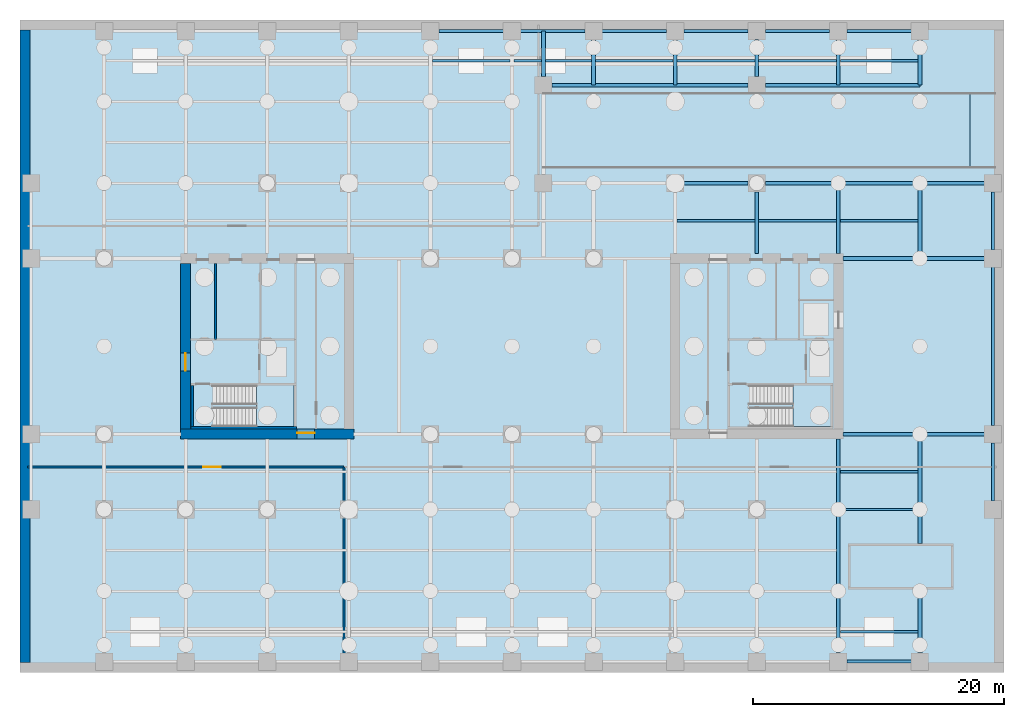
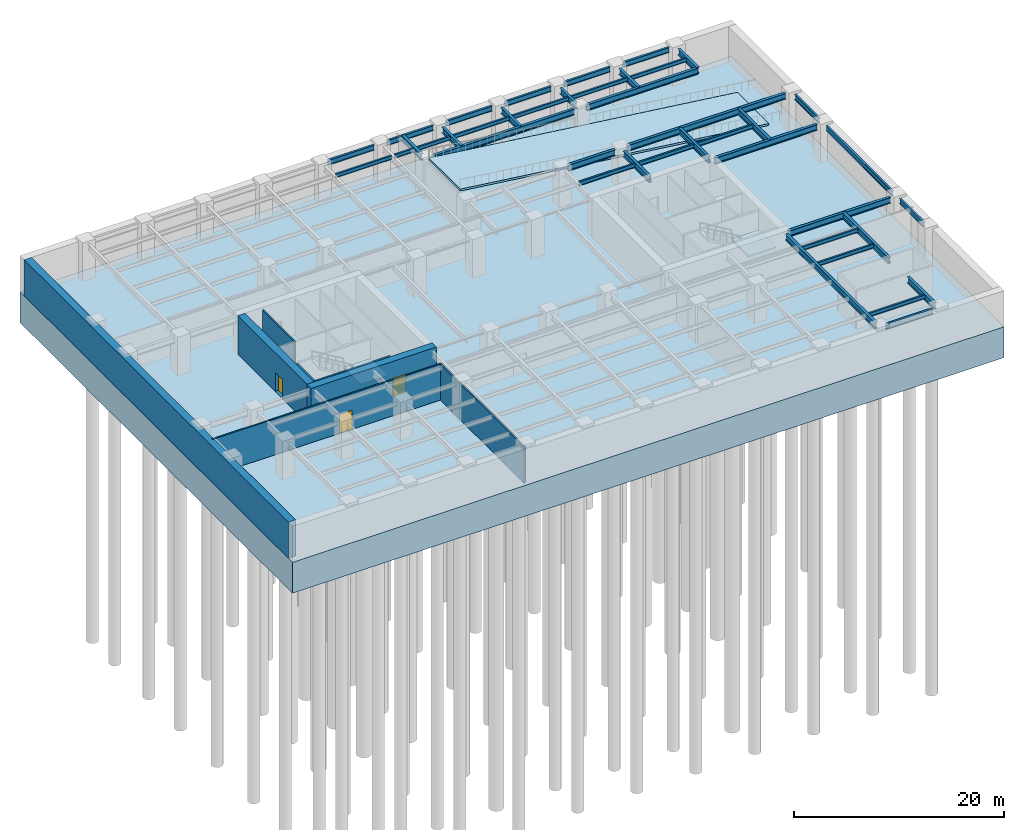
# One storey, part 3 of 11: 40 beams, 8 walls, 4 slabs, 3 doors, 3 openings, 2 elements without a shape of their own.
"""IFC4 building model written with IfcOpenShell, lengths in metres."""

from ifc_helpers import new_model, si_unit, direction, frame, frame_2d, origin, origin_2d, place, context, subcontext, project, spatial, polyline, rectangle, i_section, outline, extrude, material, layer, layer_set, material_profile, profile_set, type_object, element, fill, aggregate, save


model = new_model("IFC4")

# Units and contexts
model_context = context("Model", 3, precision=1e-05, world=origin(), true_north=direction((0.0, 1.0)))
body_context = subcontext(model_context, "Body", "Model", "MODEL_VIEW")
ifc_project = project(units=[si_unit("LENGTHUNIT", "METRE"), si_unit("AREAUNIT", "SQUARE_METRE"), si_unit("VOLUMEUNIT", "CUBIC_METRE"), si_unit("PLANEANGLEUNIT", "RADIAN"), si_unit("MASSUNIT", "GRAM", prefix="KILO")], contexts=[model_context])

# Site, building, storey
site_placement = place(None, origin())
site = spatial("IfcSite", under=ifc_project, at=site_placement, CompositionType="ELEMENT")
building_placement = place(site_placement, origin())
building = spatial("IfcBuilding", under=site, at=building_placement, Name="Putna Gate Headquarters", CompositionType="ELEMENT")
storey_placement = place(building_placement, frame((0.0, 0.0, -13.5)))
storey = spatial("IfcBuildingStorey", under=building, at=storey_placement, Name="B03", CompositionType="ELEMENT", Elevation=-13.5)

# Beams
ifc_material_1 = material(Name="Steel S355J2", Category="steel")
ifc_material_profile_1 = material_profile(ifc_material_1, i_section(OverallWidth=0.300048828125, OverallDepth=0.699951171875, WebThickness=0.01708984375, FlangeThickness=0.031982421875, at=origin_2d()), Name="Steel S355J2")
ifc_profile_set_1 = profile_set([ifc_material_profile_1], Name="Steel S355J2")
beam_type_1 = type_object("IfcBeamType", Name="BM-GIRD-B-HEB700", PredefinedType="USERDEFINED", material=ifc_profile_set_1)
for number, where, z_axis, x_axis, name in (
    (1, (65.385009765625, 19.0, 3.85009765625), (1.0, 0.0, 0.0), (0.0, 1.0, 0.0), "B03 East Wing Girder Y19"),
    (2, (65.385009765625, 33.0, 3.85009765625), (1.0, 0.0, 0.0), (0.0, 1.0, 0.0), "B03 East Wing Girder Y33"),
):
    element("IfcBeam", number, at=place(storey_placement, frame(where, z_axis=z_axis, x_axis=x_axis)), inside=storey, type_object=beam_type_1, Name=name, ObjectType="GIRDER", PredefinedType="USERDEFINED", context=body_context, shape_type="SweptSolid", body=[
        extrude(i_section(OverallWidth=0.300048828125, OverallDepth=0.699951171875, WebThickness=0.01708984375, FlangeThickness=0.031982421875, at=origin_2d()), origin(), (0.0, 0.0, 1.0), 11.2470703125),
    ])
beam_1_placement = place(storey_placement, frame((41.5, 47.488037109375, 3.85009765625), z_axis=(0.0, 1.0, 0.0), x_axis=(-1.0, 0.0, 0.0)))
element("IfcBeam", 3, at=beam_1_placement, inside=storey, type_object=beam_type_1, Name="B03 Ramp Well Trimmer Girder WN", ObjectType="GIRDER", PredefinedType="USERDEFINED", context=body_context, shape_type="SweptSolid", body=[
    extrude(i_section(OverallWidth=0.300048828125, OverallDepth=0.699951171875, WebThickness=0.01708984375, FlangeThickness=0.031982421875, at=origin_2d()), origin(), (0.0, 0.0, 1.0), 3.619873046875),
])
beam_2_placement = place(storey_placement, frame((52.68798828125, 39.0, 3.85009765625), z_axis=(1.0, 0.0, 0.0), x_axis=(0.0, 1.0, 0.0)))
element("IfcBeam", 4, at=beam_2_placement, inside=storey, type_object=beam_type_1, Name="B03 Ramp Well Trimmer Girder S2", ObjectType="GIRDER", PredefinedType="USERDEFINED", context=body_context, shape_type="SweptSolid", body=[
    extrude(i_section(OverallWidth=0.300048828125, OverallDepth=0.699951171875, WebThickness=0.01708984375, FlangeThickness=0.031982421875, at=origin_2d()), origin(), (0.0, 0.0, 1.0), 5.1240234375),
])
beam_3_placement = place(storey_placement, frame((59.18798828125, 39.0, 3.85009765625), z_axis=(1.0, 0.0, 0.0), x_axis=(0.0, 1.0, 0.0)))
element("IfcBeam", 5, at=beam_3_placement, inside=storey, type_object=beam_type_1, Name="B03 Ramp Well Trimmer Girder S3", ObjectType="GIRDER", PredefinedType="USERDEFINED", context=body_context, shape_type="SweptSolid", body=[
    extrude(i_section(OverallWidth=0.300048828125, OverallDepth=0.699951171875, WebThickness=0.01708984375, FlangeThickness=0.031982421875, at=origin_2d()), origin(), (0.0, 0.0, 1.0), 17.444091796875),
])
beam_4_placement = place(storey_placement, frame((42.18798828125, 46.800048828125, 3.85009765625), z_axis=(1.0, 0.0, 0.0), x_axis=(0.0, 1.0, 0.0)))
element("IfcBeam", 6, at=beam_4_placement, inside=storey, type_object=beam_type_1, Name="B03 Ramp Well Trimmer Girder N1", ObjectType="GIRDER", PredefinedType="USERDEFINED", context=body_context, shape_type="SweptSolid", body=[
    extrude(i_section(OverallWidth=0.300048828125, OverallDepth=0.699951171875, WebThickness=0.01708984375, FlangeThickness=0.031982421875, at=origin_2d()), origin(), (0.0, 0.0, 1.0), 15.6240234375),
])
beam_5_placement = place(storey_placement, frame((59.18798828125, 46.800048828125, 3.85009765625), z_axis=(1.0, 0.0, 0.0), x_axis=(0.0, 1.0, 0.0)))
element("IfcBeam", 7, at=beam_5_placement, inside=storey, type_object=beam_type_1, Name="B03 Ramp Well Trimmer Girder N2", ObjectType="GIRDER", PredefinedType="USERDEFINED", context=body_context, shape_type="SweptSolid", body=[
    extrude(i_section(OverallWidth=0.300048828125, OverallDepth=0.699951171875, WebThickness=0.01708984375, FlangeThickness=0.031982421875, at=origin_2d()), origin(), (0.0, 0.0, 1.0), 12.300048828125),
])
for number, where, z_axis, x_axis, name in (
    (8, (45.5, 46.81201171875, 3.85009765625), (0.0, 1.0, 0.0), (-1.0, 0.0, 0.0), "B03 North Ramp Edge Girder X45"),
    (9, (52.0, 46.81201171875, 3.85009765625), (0.0, 1.0, 0.0), (-1.0, 0.0, 0.0), "B03 North Ramp Edge Girder X52"),
):
    element("IfcBeam", number, at=place(storey_placement, frame(where, z_axis=z_axis, x_axis=x_axis)), inside=storey, type_object=beam_type_1, Name=name, ObjectType="GIRDER", PredefinedType="USERDEFINED", context=body_context, shape_type="SweptSolid", body=[
        extrude(i_section(OverallWidth=0.300048828125, OverallDepth=0.699951171875, WebThickness=0.01708984375, FlangeThickness=0.031982421875, at=origin_2d()), origin(), (0.0, 0.0, 1.0), 3.619873046875),
    ])
beam_6_placement = place(storey_placement, frame((58.5, 33.385009765625, 3.85009765625), z_axis=(0.0, 1.0, 0.0), x_axis=(-1.0, 0.0, 0.0)))
element("IfcBeam", 10, at=beam_6_placement, inside=storey, type_object=beam_type_1, Name="B03 North Girder X58-1", ObjectType="GIRDER", PredefinedType="USERDEFINED", context=body_context, shape_type="SweptSolid", body=[
    extrude(i_section(OverallWidth=0.300048828125, OverallDepth=0.699951171875, WebThickness=0.01708984375, FlangeThickness=0.031982421875, at=origin_2d()), origin(), (0.0, 0.0, 1.0), 4.927001953125),
])
beam_7_placement = place(storey_placement, frame((58.5, 47.488037109375, 3.85009765625), z_axis=(0.0, 1.0, 0.0), x_axis=(-1.0, 0.0, 0.0)))
element("IfcBeam", 11, at=beam_7_placement, inside=storey, type_object=beam_type_1, Name="B03 North Ramp Edge Girder X58", ObjectType="GIRDER", PredefinedType="USERDEFINED", context=body_context, shape_type="SweptSolid", body=[
    extrude(i_section(OverallWidth=0.300048828125, OverallDepth=0.699951171875, WebThickness=0.01708984375, FlangeThickness=0.031982421875, at=origin_2d()), origin(), (0.0, 0.0, 1.0), 2.94384765625),
])
beam_8_placement = place(storey_placement, frame((65.0, 1.568115234375, 3.85009765625), z_axis=(0.0, 1.0, 0.0), x_axis=(-1.0, 0.0, 0.0)))
element("IfcBeam", 12, at=beam_8_placement, inside=storey, type_object=beam_type_1, Name="B03 South Primary Girder X65", ObjectType="GIRDER", PredefinedType="USERDEFINED", context=body_context, shape_type="SweptSolid", body=[
    extrude(i_section(OverallWidth=0.300048828125, OverallDepth=0.699951171875, WebThickness=0.01708984375, FlangeThickness=0.031982421875, at=origin_2d()), origin(), (0.0, 0.0, 1.0), 17.046875),
])
beam_9_placement = place(storey_placement, frame((65.0, 33.385009765625, 3.85009765625), z_axis=(0.0, 1.0, 0.0), x_axis=(-1.0, 0.0, 0.0)))
element("IfcBeam", 13, at=beam_9_placement, inside=storey, type_object=beam_type_1, Name="B03 North Girder X65-1", ObjectType="GIRDER", PredefinedType="USERDEFINED", context=body_context, shape_type="SweptSolid", body=[
    extrude(i_section(OverallWidth=0.300048828125, OverallDepth=0.699951171875, WebThickness=0.01708984375, FlangeThickness=0.031982421875, at=origin_2d()), origin(), (0.0, 0.0, 1.0), 5.60302734375),
])
beam_10_placement = place(storey_placement, frame((65.0, 46.81201171875, 3.85009765625), z_axis=(0.0, 1.0, 0.0), x_axis=(-1.0, 0.0, 0.0)))
element("IfcBeam", 14, at=beam_10_placement, inside=storey, type_object=beam_type_1, Name="B03 North Ramp Edge Girder X65", ObjectType="GIRDER", PredefinedType="USERDEFINED", context=body_context, shape_type="SweptSolid", body=[
    extrude(i_section(OverallWidth=0.300048828125, OverallDepth=0.699951171875, WebThickness=0.01708984375, FlangeThickness=0.031982421875, at=origin_2d()), origin(), (0.0, 0.0, 1.0), 3.619873046875),
])
beam_11_placement = place(storey_placement, frame((71.5, 1.568115234375, 3.85009765625), z_axis=(0.0, 1.0, 0.0), x_axis=(-1.0, 0.0, 0.0)))
element("IfcBeam", 15, at=beam_11_placement, inside=storey, type_object=beam_type_1, Name="B03 South Girder X71-A", ObjectType="GIRDER", PredefinedType="USERDEFINED", context=body_context, shape_type="SweptSolid", body=[
    extrude(i_section(OverallWidth=0.300048828125, OverallDepth=0.699951171875, WebThickness=0.01708984375, FlangeThickness=0.031982421875, at=origin_2d()), origin(), (0.0, 0.0, 1.0), 5.056884765625),
])
beam_12_placement = place(storey_placement, frame((71.5, 10.27490234375, 3.85009765625), z_axis=(0.0, 1.0, 0.0), x_axis=(-1.0, 0.0, 0.0)))
element("IfcBeam", 16, at=beam_12_placement, inside=storey, type_object=beam_type_1, Name="B03 South Girder X71-B", ObjectType="GIRDER", PredefinedType="USERDEFINED", context=body_context, shape_type="SweptSolid", body=[
    extrude(i_section(OverallWidth=0.300048828125, OverallDepth=0.699951171875, WebThickness=0.01708984375, FlangeThickness=0.031982421875, at=origin_2d()), origin(), (0.0, 0.0, 1.0), 8.713134765625),
])
beam_13_placement = place(storey_placement, frame((71.5, 33.011962890625, 3.85009765625), z_axis=(0.0, 1.0, 0.0), x_axis=(-1.0, 0.0, 0.0)))
element("IfcBeam", 17, at=beam_13_placement, inside=storey, type_object=beam_type_1, Name="B03 North Girder X71-1", ObjectType="GIRDER", PredefinedType="USERDEFINED", context=body_context, shape_type="SweptSolid", body=[
    extrude(i_section(OverallWidth=0.300048828125, OverallDepth=0.699951171875, WebThickness=0.01708984375, FlangeThickness=0.031982421875, at=origin_2d()), origin(), (0.0, 0.0, 1.0), 5.97607421875),
])
beam_14_placement = place(storey_placement, frame((71.5, 46.81201171875, 3.85009765625), z_axis=(0.0, 1.0, 0.0), x_axis=(-1.0, 0.0, 0.0)))
element("IfcBeam", 18, at=beam_14_placement, inside=storey, type_object=beam_type_1, Name="B03 North Ramp Edge Girder X71", ObjectType="GIRDER", PredefinedType="USERDEFINED", context=body_context, shape_type="SweptSolid", body=[
    extrude(i_section(OverallWidth=0.300048828125, OverallDepth=0.699951171875, WebThickness=0.01708984375, FlangeThickness=0.031982421875, at=origin_2d()), origin(), (0.0, 0.0, 1.0), 3.619873046875),
])
ifc_material_profile_2 = material_profile(ifc_material_1, i_section(OverallWidth=0.18994140625, OverallDepth=0.449951171875, WebThickness=0.009521484375, FlangeThickness=0.0146484375, at=origin_2d()), Name="Steel S355J2")
ifc_profile_set_2 = profile_set([ifc_material_profile_2], Name="Steel S355J2")
beam_type_2 = type_object("IfcBeamType", Name="BM-SEC-B-IPE450", PredefinedType="BEAM", material=ifc_profile_set_2)
for number, where, z_axis, x_axis, name in (
    (19, (32.654052734375, 48.75, 3.97509765625), (1.0, 0.0, 0.0), (0.0, 1.0, 0.0), "B03 North Secondary Beam 5"),
    (20, (39.154052734375, 48.75, 3.97509765625), (1.0, 0.0, 0.0), (0.0, 1.0, 0.0), "B03 North Secondary Beam 6"),
    (21, (45.654052734375, 48.75, 3.97509765625), (1.0, 0.0, 0.0), (0.0, 1.0, 0.0), "B03 North Secondary Beam 7"),
    (22, (52.154052734375, 36.0, 3.97509765625), (1.0, 0.0, 0.0), (0.0, 1.0, 0.0), "B03 North Secondary Beam 8"),
    (23, (52.154052734375, 48.75, 3.97509765625), (1.0, 0.0, 0.0), (0.0, 1.0, 0.0), "B03 North Secondary Beam 8"),
    (24, (58.654052734375, 36.0, 3.97509765625), (1.0, 0.0, 0.0), (0.0, 1.0, 0.0), "B03 North Secondary Beam 9"),
    (25, (58.654052734375, 48.75, 3.97509765625), (1.0, 0.0, 0.0), (0.0, 1.0, 0.0), "B03 North Secondary Beam 9"),
    (26, (65.154052734375, 3.25, 3.97509765625), (1.0, 0.0, 0.0), (0.0, 1.0, 0.0), "B03 South Secondary Beam 10"),
    (27, (65.154052734375, 13.0, 3.97509765625), (1.0, 0.0, 0.0), (0.0, 1.0, 0.0), "B03 South Secondary Beam 10"),
    (28, (65.154052734375, 16.0, 3.97509765625), (1.0, 0.0, 0.0), (0.0, 1.0, 0.0), "B03 South Secondary Beam 10"),
    (29, (65.154052734375, 36.0, 3.97509765625), (1.0, 0.0, 0.0), (0.0, 1.0, 0.0), "B03 North Secondary Beam 10"),
    (30, (65.154052734375, 48.75, 3.97509765625), (1.0, 0.0, 0.0), (0.0, 1.0, 0.0), "B03 North Secondary Beam 10"),
):
    element("IfcBeam", number, at=place(storey_placement, frame(where, z_axis=z_axis, x_axis=x_axis)), inside=storey, type_object=beam_type_2, Name=name, PredefinedType="BEAM", context=body_context, shape_type="SweptSolid", body=[
        extrude(i_section(OverallWidth=0.18994140625, OverallDepth=0.449951171875, WebThickness=0.009521484375, FlangeThickness=0.0146484375, at=origin_2d()), origin(), (0.0, 0.0, 1.0), 6.19189453125),
    ])
ifc_material_profile_3 = material_profile(ifc_material_1, i_section(OverallWidth=0.219970703125, OverallDepth=0.60009765625, WebThickness=0.011962890625, FlangeThickness=0.01904296875, at=origin_2d()), Name="Steel S355J2")
ifc_profile_set_3 = profile_set([ifc_material_profile_3], Name="Steel S355J2")
beam_type_3 = type_object("IfcBeamType", Name="BM-SPAN-B-IPE600", PredefinedType="SPANDREL", material=ifc_profile_set_3)
for number, where, z_axis, x_axis, name in (
    (31, (65.68798828125, 0.8798828125, 3.89990234375), (1.0, 0.0, 0.0), (0.0, 1.0, 0.0), "B03 S Perimeter Spandrel 10"),
    (32, (33.18798828125, 51.1201171875, 3.89990234375), (1.0, 0.0, 0.0), (0.0, 1.0, 0.0), "B03 N Perimeter Spandrel 5"),
    (33, (39.68798828125, 51.1201171875, 3.89990234375), (1.0, 0.0, 0.0), (0.0, 1.0, 0.0), "B03 N Perimeter Spandrel 6"),
    (34, (46.18798828125, 51.1201171875, 3.89990234375), (1.0, 0.0, 0.0), (0.0, 1.0, 0.0), "B03 N Perimeter Spandrel 7"),
    (35, (52.68798828125, 51.1201171875, 3.89990234375), (1.0, 0.0, 0.0), (0.0, 1.0, 0.0), "B03 N Perimeter Spandrel 8"),
    (36, (59.18798828125, 51.1201171875, 3.89990234375), (1.0, 0.0, 0.0), (0.0, 1.0, 0.0), "B03 N Perimeter Spandrel 9"),
    (37, (65.68798828125, 51.1201171875, 3.89990234375), (1.0, 0.0, 0.0), (0.0, 1.0, 0.0), "B03 N Perimeter Spandrel 10"),
):
    element("IfcBeam", number, at=place(storey_placement, frame(where, z_axis=z_axis, x_axis=x_axis)), inside=storey, type_object=beam_type_3, Name=name, PredefinedType="SPANDREL", context=body_context, shape_type="SweptSolid", body=[
        extrude(i_section(OverallWidth=0.219970703125, OverallDepth=0.60009765625, WebThickness=0.011962890625, FlangeThickness=0.01904296875, at=origin_2d()), origin(), (0.0, 0.0, 1.0), 5.1240234375),
    ])
beam_15_placement = place(storey_placement, frame((77.320068359375, 13.68798828125, 3.89990234375), z_axis=(0.0, 1.0, 0.0), x_axis=(-1.0, 0.0, 0.0)))
element("IfcBeam", 38, at=beam_15_placement, inside=storey, type_object=beam_type_3, Name="B03 E End Spandrel 1", PredefinedType="SPANDREL", context=body_context, shape_type="SweptSolid", body=[
    extrude(i_section(OverallWidth=0.219970703125, OverallDepth=0.60009765625, WebThickness=0.011962890625, FlangeThickness=0.01904296875, at=origin_2d()), origin(), (0.0, 0.0, 1.0), 4.6240234375),
])
beam_16_placement = place(storey_placement, frame((77.320068359375, 19.68798828125, 3.89990234375), z_axis=(0.0, 1.0, 0.0), x_axis=(-1.0, 0.0, 0.0)))
element("IfcBeam", 39, at=beam_16_placement, inside=storey, type_object=beam_type_3, Name="B03 E End Spandrel 2", PredefinedType="SPANDREL", context=body_context, shape_type="SweptSolid", body=[
    extrude(i_section(OverallWidth=0.219970703125, OverallDepth=0.60009765625, WebThickness=0.011962890625, FlangeThickness=0.01904296875, at=origin_2d()), origin(), (0.0, 0.0, 1.0), 12.6240234375),
])
beam_17_placement = place(storey_placement, frame((77.320068359375, 33.68798828125, 3.89990234375), z_axis=(0.0, 1.0, 0.0), x_axis=(-1.0, 0.0, 0.0)))
element("IfcBeam", 40, at=beam_17_placement, inside=storey, type_object=beam_type_3, Name="B03 E End Spandrel 3", PredefinedType="SPANDREL", context=body_context, shape_type="SweptSolid", body=[
    extrude(i_section(OverallWidth=0.219970703125, OverallDepth=0.60009765625, WebThickness=0.011962890625, FlangeThickness=0.01904296875, at=origin_2d()), origin(), (0.0, 0.0, 1.0), 4.6240234375),
])

# Stair, slab
ifc_material_2 = material(Name="Concrete C40/50", Category="concrete")
stair_type_1 = type_object("IfcStairType", Name="STAIR-ST1", PredefinedType="HALF_TURN_STAIR", material=ifc_material_2)
stair_1_placement = place(storey_placement, origin())
stair_1 = element("IfcStair", 41, at=stair_1_placement, inside=storey, type_object=stair_type_1, Name="B03 West Core Exit Stair ST1", PredefinedType="HALF_TURN_STAIR")
ifc_layer_1 = layer(ifc_material_2, 0.199951171875)
ifc_layer_set_1 = layer_set([ifc_layer_1], Name="Concrete C40/50")
slab_type_1 = type_object("IfcSlabType", Name="LANDING-ST1", PredefinedType="LANDING", material=ifc_layer_set_1)
slab_1_placement = place(storey_placement, frame((0.0, 0.0, 2.050048828125)))
slab_1 = element("IfcSlab", 42, at=slab_1_placement, type_object=slab_type_1, Name="ST1 landing 1", PredefinedType="LANDING", context=body_context, shape_type="SweptSolid", body=[
    extrude(outline(polyline([(18.6298828125, 19.60009765625), (21.64990234375, 19.60009765625), (21.64990234375, 22.89990234375), (18.6298828125, 22.89990234375), (18.6298828125, 19.60009765625)])), origin(), (0.0, 0.0, 1.0), 0.199951171875),
])
aggregate(stair_1, [slab_1])

stair_type_2 = type_object("IfcStairType", Name="STAIR-ST2", PredefinedType="HALF_TURN_STAIR", material=ifc_material_2)
stair_2_placement = place(storey_placement, origin())
stair_2 = element("IfcStair", 43, at=stair_2_placement, inside=storey, type_object=stair_type_2, Name="B03 East Core Exit Stair ST2", PredefinedType="HALF_TURN_STAIR")
ifc_layer_2 = layer(ifc_material_2, 0.199951171875)
ifc_layer_set_2 = layer_set([ifc_layer_2], Name="Concrete C40/50")
slab_type_2 = type_object("IfcSlabType", Name="LANDING-ST2", PredefinedType="LANDING", material=ifc_layer_set_2)
slab_2_placement = place(storey_placement, frame((0.0, 0.0, 2.050048828125)))
slab_2 = element("IfcSlab", 44, at=slab_2_placement, type_object=slab_type_2, Name="ST2 landing 1", PredefinedType="LANDING", context=body_context, shape_type="SweptSolid", body=[
    extrude(outline(polyline([(61.3798828125, 19.60009765625), (64.39990234375, 19.60009765625), (64.39990234375, 22.89990234375), (61.3798828125, 22.89990234375), (61.3798828125, 19.60009765625)])), origin(), (0.0, 0.0, 1.0), 0.199951171875),
])
aggregate(stair_2, [slab_2])

# Slabs
ifc_layer_3 = layer(ifc_material_2, 3.60009765625)
ifc_layer_set_3 = layer_set([ifc_layer_3], Name="Concrete C40/50")
slab_type_3 = type_object("IfcSlabType", Name="SLAB-RAFT-3600", PredefinedType="BASESLAB", material=ifc_layer_set_3)
slab_3_placement = place(storey_placement, frame((0.0, 0.0, -3.60009765625)))
element("IfcSlab", 45, at=slab_3_placement, inside=storey, type_object=slab_type_3, Name="B03 Monolithic Piled Raft Slab", PredefinedType="BASESLAB", context=body_context, shape_type="SweptSolid", body=[
    extrude(outline(polyline([(-0.199951171875, 0.0), (78.199951171875, 0.0), (78.199951171875, 52.0), (-0.199951171875, 52.0), (-0.199951171875, 0.0)])), origin(), (0.0, 0.0, 1.0), 3.60009765625),
])
ifc_layer_4 = layer(ifc_material_2, 0.219970703125)
ifc_layer_set_4 = layer_set([ifc_layer_4], Name="Concrete C40/50")
slab_type_4 = type_object("IfcSlabType", Name="SLAB-VRAMP-220", PredefinedType="FLOOR", material=ifc_layer_set_4)
slab_4_placement = place(storey_placement, frame((41.5, 40.199951171875, 4.5), z_axis=(0.124322356055, 0.0, 0.992241881693), x_axis=(0.992241881693, 0.0, -0.124322356055)))
element("IfcSlab", 46, at=slab_4_placement, inside=storey, type_object=slab_type_4, Name="Car park structural vehicle ramp slab B03 to B02", PredefinedType="FLOOR", context=body_context, shape_type="SweptSolid", body=[
    extrude(outline(polyline([(0.0, 0.0), (34.26583842842928, 0.0), (34.26583842842928, 6.000000000000002), (0.0, 6.000000000000002), (0.0, 0.0)])), origin(), (0.0, 0.0, -1.0), 0.219970703125),
])

# Wall, opening, door
ifc_material_3 = material(Name="Concrete C60/75", Category="concrete")
ifc_layer_5 = layer(ifc_material_3, 0.800048828125)
ifc_layer_set_5 = layer_set([ifc_layer_5], Name="Concrete C60/75")
wall_type_1 = type_object("IfcWallType", Name="WALL-CORE-800", PredefinedType="SHEAR", material=ifc_layer_set_5)
wall_1_placement = place(storey_placement, frame((12.60009765625, 19.0, 0.0), z_axis=(0.0, 0.0, 1.0), x_axis=(1.0, 0.0, 0.0)))
wall_1 = element("IfcWall", 47, at=wall_1_placement, inside=storey, type_object=wall_type_1, Name="B03 WC Split Core Shear Wall S", PredefinedType="SHEAR", context=body_context, shape_type="SweptSolid", body=[
    extrude(rectangle(XDim=13.7998046875, YDim=0.800048828125, at=frame_2d((6.89990234375, 0.0))), origin(), (0.0, 0.0, 1.0), 4.5),
])
opening_1_placement = place(wall_1_placement, frame((9.280029296875, 0.0, 0.0)))
opening_1 = element("IfcOpeningElement", 48, at=opening_1_placement, cuts=wall_1, Name="Opening FDD-140", PredefinedType="OPENING", context=body_context, shape_type="SweptSolid", body=[
    extrude(rectangle(XDim=1.39990234375, YDim=2.199951171875, at=frame_2d((0.699951171875, 1.10009765625))), frame((0.0, 0.409912109375, 0.0), z_axis=(0.0, -1.0, 0.0), x_axis=(1.0, 0.0, 0.0)), (0.0, 0.0, 1.0), 0.820068359375),
])
ifc_material_4 = material(Name="Double steel fire door", Category="steel")
door_type = type_object("IfcDoorType", Name="DOOR-FIRE-DBL-1400", OperationType="DOUBLE_DOOR_SINGLE_SWING", PredefinedType="DOOR", material=ifc_material_4)
door_1_placement = place(opening_1_placement, origin())
door_1 = element("IfcDoor", 49, at=door_1_placement, inside=storey, type_object=door_type, Name="B03 West Lift Lobby South Door", OperationType="DOUBLE_DOOR_SINGLE_SWING", OverallHeight=2.199951171875, OverallWidth=1.39990234375, PredefinedType="DOOR", context=body_context, shape_type="SweptSolid", body=[
    extrude(rectangle(XDim=1.39990234375, YDim=2.199951171875, at=frame_2d((0.699951171875, 1.10009765625))), frame((0.0, 0.125, 0.0), z_axis=(0.0, -1.0, 0.0), x_axis=(1.0, 0.0, 0.0)), (0.0, 0.0, 1.0), 0.050048828125),
])
fill(opening_1, door_1)

wall_2_placement = place(storey_placement, frame((13.0, 19.39990234375, 0.0), z_axis=(0.0, 0.0, 1.0), x_axis=(0.0, 1.0, 0.0)))
wall_2 = element("IfcWall", 50, at=wall_2_placement, inside=storey, type_object=wall_type_1, Name="B03 WC Split Core Shear Wall W", PredefinedType="SHEAR", context=body_context, shape_type="SweptSolid", body=[
    extrude(rectangle(XDim=13.2001953125, YDim=0.800048828125, at=frame_2d((6.60009765625, 0.0))), origin(), (0.0, 0.0, 1.0), 4.5),
])
opening_2_placement = place(wall_2_placement, frame((4.64990234375, 0.0, 0.0)))
opening_2 = element("IfcOpeningElement", 51, at=opening_2_placement, cuts=wall_2, Name="Opening FDD-140", PredefinedType="OPENING", context=body_context, shape_type="SweptSolid", body=[
    extrude(rectangle(XDim=1.39990234375, YDim=2.199951171875, at=frame_2d((0.699951171875, 1.10009765625))), frame((0.0, 0.409912109375, 0.0), z_axis=(0.0, -1.0, 0.0), x_axis=(1.0, 0.0, 0.0)), (0.0, 0.0, 1.0), 0.820068359375),
])
door_2_placement = place(opening_2_placement, origin())
door_2 = element("IfcDoor", 52, at=door_2_placement, inside=storey, type_object=door_type, Name="B03 West Firefighting Lobby Door", OperationType="DOUBLE_DOOR_SINGLE_SWING", OverallHeight=2.199951171875, OverallWidth=1.39990234375, PredefinedType="DOOR", context=body_context, shape_type="SweptSolid", body=[
    extrude(rectangle(XDim=1.39990234375, YDim=2.199951171875, at=frame_2d((0.699951171875, 1.10009765625))), frame((0.0, 0.02490234375, 0.0), z_axis=(0.0, -1.0, 0.0), x_axis=(1.0, 0.0, 0.0)), (0.0, 0.0, 1.0), 0.050048828125),
])
fill(opening_2, door_2)

# Walls
ifc_layer_6 = layer(ifc_material_2, 0.800048828125)
ifc_layer_set_6 = layer_set([ifc_layer_6], Name="Concrete C40/50")
wall_type_2 = type_object("IfcWallType", Name="WALL-RET-800", PredefinedType="USERDEFINED", material=ifc_layer_set_6)
wall_3_placement = place(storey_placement, frame((0.199951171875, 51.199951171875, 0.0), z_axis=(0.0, 0.0, 1.0), x_axis=(0.0, -1.0, 0.0)))
element("IfcWall", 53, at=wall_3_placement, inside=storey, type_object=wall_type_2, Name="B03 Basement Retaining Wall W", ObjectType="RETAININGWALL", PredefinedType="USERDEFINED", context=body_context, shape_type="SweptSolid", body=[
    extrude(rectangle(XDim=50.39990234375, YDim=0.800048828125, at=frame_2d((25.199951171875, 0.0))), origin(), (0.0, 0.0, 1.0), 4.199951171875),
])
ifc_layer_7 = layer(ifc_material_2, 0.159912109375)
ifc_layer_set_7 = layer_set([ifc_layer_7], Name="Concrete C40/50")
wall_type_3 = type_object("IfcWallType", Name="WALL-SHAFT-160", PredefinedType="STANDARD", material=ifc_layer_set_7)
wall_4_placement = place(storey_placement, frame((15.3798828125, 26.56005859375, 0.0), z_axis=(0.0, 0.0, 1.0), x_axis=(0.0, 1.0, 0.0)))
element("IfcWall", 54, at=wall_4_placement, inside=storey, type_object=wall_type_3, Name="B03 Interior Wall CWINT-B03-WC-RISER-E", PredefinedType="STANDARD", context=body_context, shape_type="SweptSolid", body=[
    extrude(rectangle(XDim=6.0400390625, YDim=0.159912109375, at=frame_2d((3.02001953125, 0.0))), origin(), (0.0, 0.0, 1.0), 4.199951171875),
])
wall_5_placement = place(storey_placement, frame((25.60009765625, 0.39990234375, 0.0), z_axis=(0.0, 0.0, 1.0), x_axis=(0.0, 1.0, 0.0)))
element("IfcWall", 55, at=wall_5_placement, inside=storey, type_object=wall_type_3, Name="B03 Interior Wall PART-B03-DIV1", PredefinedType="STANDARD", context=body_context, shape_type="SweptSolid", body=[
    extrude(rectangle(XDim=16.0, YDim=0.159912109375, at=frame_2d((8.0, 0.0))), origin(), (0.0, 0.0, 1.0), 4.199951171875),
])

# Wall, opening, door
wall_6_placement = place(storey_placement, frame((0.39990234375, 16.39990234375, 0.0), z_axis=(0.0, 0.0, 1.0), x_axis=(1.0, 0.0, 0.0)))
wall_6 = element("IfcWall", 56, at=wall_6_placement, inside=storey, type_object=wall_type_3, Name="B03 Interior Wall PART-B03-S1", PredefinedType="STANDARD", context=body_context, shape_type="SweptSolid", body=[
    extrude(rectangle(XDim=25.2001953125, YDim=0.159912109375, at=frame_2d((12.60009765625, 0.0))), origin(), (0.0, 0.0, 1.0), 4.199951171875),
])
opening_3_placement = place(wall_6_placement, frame((14.0, 0.0, 0.0)))
opening_3 = element("IfcOpeningElement", 57, at=opening_3_placement, cuts=wall_6, Name="Opening FDD-140", PredefinedType="OPENING", context=body_context, shape_type="SweptSolid", body=[
    extrude(rectangle(XDim=1.39990234375, YDim=2.199951171875, at=frame_2d((0.699951171875, 1.10009765625))), frame((0.0, 0.08984375, 0.0), z_axis=(0.0, -1.0, 0.0), x_axis=(1.0, 0.0, 0.0)), (0.0, 0.0, 1.0), 0.179931640625),
])
door_3_placement = place(opening_3_placement, origin())
door_3 = element("IfcDoor", 58, at=door_3_placement, inside=storey, type_object=door_type, Name="B03 Cistern Plant Door", OperationType="DOUBLE_DOOR_SINGLE_SWING", OverallHeight=2.199951171875, OverallWidth=1.39990234375, PredefinedType="DOOR", context=body_context, shape_type="SweptSolid", body=[
    extrude(rectangle(XDim=1.39990234375, YDim=2.199951171875, at=frame_2d((0.699951171875, 1.10009765625))), frame((0.0, 0.02490234375, 0.0), z_axis=(0.0, -1.0, 0.0), x_axis=(1.0, 0.0, 0.0)), (0.0, 0.0, 1.0), 0.050048828125),
])
fill(opening_3, door_3)

# Walls
ifc_layer_8 = layer(ifc_material_2, 0.199951171875)
ifc_layer_set_8 = layer_set([ifc_layer_8], Name="Concrete C40/50")
wall_type_4 = type_object("IfcWallType", Name="WALL-SHAFT-RC200", PredefinedType="SHEAR", material=ifc_layer_set_8)
wall_7_placement = place(storey_placement, frame((13.409912109375, 19.510009765625, 0.0), z_axis=(0.0, 0.0, 1.0), x_axis=(1.0, 0.0, 0.0)))
element("IfcWall", 59, at=wall_7_placement, inside=storey, type_object=wall_type_4, Name="B03 Stair ST1 Structural Shaft Wall S", PredefinedType="SHEAR", context=body_context, shape_type="SweptSolid", body=[
    extrude(rectangle(XDim=8.43017578125, YDim=0.199951171875, at=frame_2d((4.215087890625, 0.0))), origin(), (0.0, 0.0, 1.0), 4.5),
])
wall_8_placement = place(storey_placement, frame((13.510009765625, 19.610107421875, 0.0), z_axis=(0.0, 0.0, 1.0), x_axis=(0.0, 1.0, 0.0)))
element("IfcWall", 60, at=wall_8_placement, inside=storey, type_object=wall_type_4, Name="B03 Stair ST1 Structural Shaft Wall W", PredefinedType="SHEAR", context=body_context, shape_type="SweptSolid", body=[
    extrude(rectangle(XDim=3.27978515625, YDim=0.199951171875, at=frame_2d((1.639892578125, 0.0))), origin(), (0.0, 0.0, 1.0), 4.5),
])

save(model, "model.ifc")
